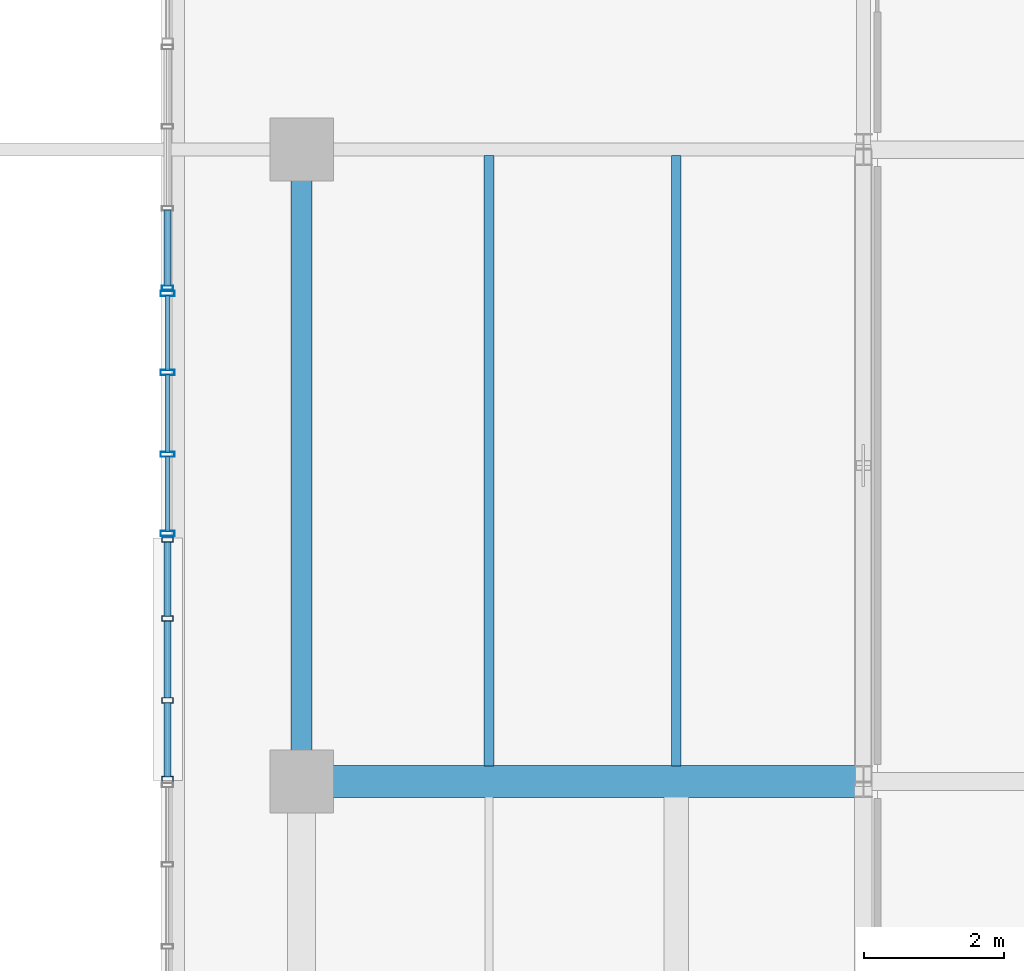
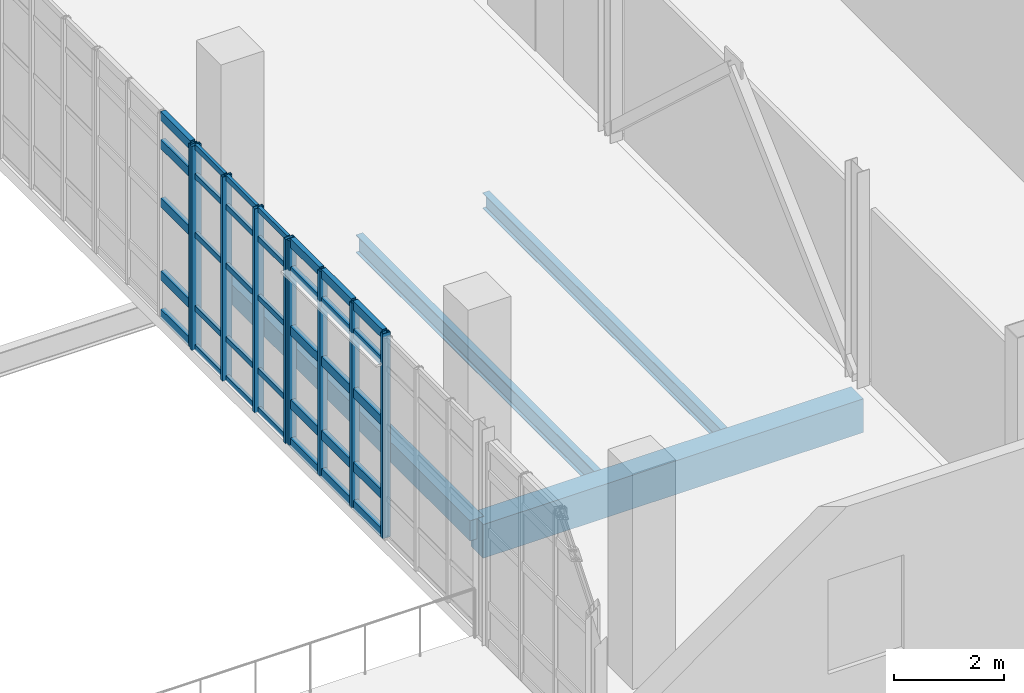
# One storey, part 29 of 100: 44 members, 4 beams, 3 elements without a shape of their own.
"""IFC4 building model written with IfcOpenShell, lengths in metres."""

from ifc_helpers import new_model, si_unit, derived_unit, direction, frame, origin, origin_2d, place, context, subcontext, project, spatial, rectangle, hollow_rectangle, i_section, extrude, material, layer, layer_set, material_profile, profile_set, type_object, element, aggregate, save


model = new_model("IFC4")

# Units and contexts
model_context = context("Model", 3, precision=1e-05, world=origin(), true_north=direction((0.0, 1.0)))
body_context = subcontext(model_context, "Body", "Model", "MODEL_VIEW")
ifc_project = project(units=[si_unit("LENGTHUNIT", "METRE"), si_unit("AREAUNIT", "SQUARE_METRE"), si_unit("VOLUMEUNIT", "CUBIC_METRE"), si_unit("PLANEANGLEUNIT", "RADIAN"), si_unit("MASSUNIT", "GRAM", prefix="KILO"), derived_unit("THERMALTRANSMITTANCEUNIT", [(si_unit("POWERUNIT", "WATT"), 1), (si_unit("LENGTHUNIT", "METRE"), -2), (si_unit("THERMODYNAMICTEMPERATUREUNIT", "KELVIN"), -1)])], contexts=[model_context])

# Site, building, storey
site_placement = place(None, origin())
site = spatial("IfcSite", under=ifc_project, at=site_placement, CompositionType="ELEMENT")
building_placement = place(site_placement, origin())
building = spatial("IfcBuilding", under=site, at=building_placement, Name="Nallur Shell Playhouse", CompositionType="ELEMENT")
storey_placement = place(building_placement, frame((0.0, 0.0, 10.199951171875)))
storey = spatial("IfcBuildingStorey", under=building, at=storey_placement, Name="L03", CompositionType="ELEMENT", Elevation=10.199951171875)

# Beams
ifc_material_1 = material(Name="Steel E250", Category="steel")
ifc_material_profile_1 = material_profile(ifc_material_1, i_section(OverallWidth=0.139892578125, OverallDepth=0.35009765625, WebThickness=0.008056640625, FlangeThickness=0.01416015625, FilletRadius=0.013916015625, at=origin_2d()), Name="ISMB 350")
ifc_profile_set_1 = profile_set([ifc_material_profile_1], Name="Steel E250")
beam_type_1 = type_object("IfcBeamType", Name="BM-JST-ISMB350", PredefinedType="JOIST", material=ifc_profile_set_1)
beam_1_placement = place(storey_placement, frame((61.333251953125, 56.222900390625, -0.43505859375), z_axis=(0.0, 1.0, 0.0), x_axis=(-1.0, 0.0, 0.0)))
element("IfcBeam", 1, at=beam_1_placement, inside=storey, type_object=beam_type_1, Name="L03 secondary joist 7-G-722", PredefinedType="JOIST", context=body_context, shape_type="SweptSolid", body=[
    extrude(i_section(OverallWidth=0.139892578125, OverallDepth=0.35009765625, WebThickness=0.008056640625, FlangeThickness=0.01416015625, FilletRadius=0.013916015625, at=origin_2d()), origin(), (0.0, 0.0, 1.0), 8.689208984375),
])
ifc_material_profile_2 = material_profile(ifc_material_1, i_section(OverallWidth=0.139892578125, OverallDepth=0.39990234375, WebThickness=0.0087890625, FlangeThickness=0.01611328125, FilletRadius=0.013916015625, at=origin_2d()), Name="ISMB 400")
ifc_profile_set_2 = profile_set([ifc_material_profile_2], Name="Steel E250")
beam_type_2 = type_object("IfcBeamType", Name="BM-JST-ISMB400", PredefinedType="JOIST", material=ifc_profile_set_2)
beam_2_placement = place(storey_placement, frame((58.666748046875, 56.222900390625, -0.4599609375), z_axis=(0.0, 1.0, 0.0), x_axis=(-1.0, 0.0, 0.0)))
element("IfcBeam", 2, at=beam_2_placement, inside=storey, type_object=beam_type_2, Name="L03 secondary joist 7-G-721", PredefinedType="JOIST", context=body_context, shape_type="SweptSolid", body=[
    extrude(i_section(OverallWidth=0.139892578125, OverallDepth=0.39990234375, WebThickness=0.0087890625, FlangeThickness=0.01611328125, FilletRadius=0.013916015625, at=origin_2d()), origin(), (0.0, 0.0, 1.0), 8.689208984375),
])
ifc_material_2 = material(Name="Concrete M35", Category="concrete")
ifc_material_profile_3 = material_profile(ifc_material_2, rectangle(XDim=0.449951171875, YDim=0.75, at=origin_2d()), Name="RC 450x750")
ifc_profile_set_3 = profile_set([ifc_material_profile_3], Name="Concrete M35")
beam_type_3 = type_object("IfcBeamType", Name="BM-RC-450x750", PredefinedType="BEAM", material=ifc_profile_set_3)
beam_3_placement = place(storey_placement, frame((56.0, 56.0, -0.635009765625), z_axis=(1.0, 0.0, 0.0), x_axis=(0.0, 1.0, 0.0)))
element("IfcBeam", 3, at=beam_3_placement, inside=storey, type_object=beam_type_3, Name="L03 girder X-G-606", PredefinedType="BEAM", context=body_context, shape_type="SweptSolid", body=[
    extrude(rectangle(XDim=0.449951171875, YDim=0.75, at=origin_2d()), origin(), (0.0, 0.0, 1.0), 8.0),
])
ifc_material_profile_4 = material_profile(ifc_material_2, rectangle(XDim=0.300048828125, YDim=0.449951171875, at=origin_2d()), Name="RC 300x450")
ifc_profile_set_4 = profile_set([ifc_material_profile_4], Name="Concrete M35")
beam_type_4 = type_object("IfcBeamType", Name="BM-SPN-300x450", PredefinedType="SPANDREL", material=ifc_profile_set_4)
beam_4_placement = place(storey_placement, frame((56.0, 56.0, -0.48486328125), z_axis=(0.0, 1.0, 0.0), x_axis=(-1.0, 0.0, 0.0)))
element("IfcBeam", 4, at=beam_4_placement, inside=storey, type_object=beam_type_4, Name="L03 girder Y-7-656", PredefinedType="SPANDREL", context=body_context, shape_type="SweptSolid", body=[
    extrude(rectangle(XDim=0.300048828125, YDim=0.449951171875, at=origin_2d()), origin(), (0.0, 0.0, 1.0), 9.0),
])

# Curtain wall, members
ifc_material_3 = material(Name="Anodised Aluminium Double-Glazed Facade System", Category="aluminium")
ifc_layer_1 = layer(ifc_material_3, 0.176025390625)
ifc_layer_set_1 = layer_set([ifc_layer_1], Name="Anodised Aluminium Double-Glazed Facade System")
curtain_wall_type_1 = type_object("IfcCurtainWallType", Name="CW-UNIT-04", PredefinedType="NOTDEFINED", material=ifc_layer_set_1)
curtain_wall_1_placement = place(storey_placement, origin())
curtain_wall_1 = element("IfcCurtainWall", 5, at=curtain_wall_1_placement, inside=storey, type_object=curtain_wall_type_1, Name="Unitised curtain wall CW-068 (L03)", PredefinedType="NOTDEFINED")
ifc_material_4 = material(Name="Aluminium Alloy 6063-T6 Mullion", Category="aluminium")
ifc_material_profile_5 = material_profile(ifc_material_4, hollow_rectangle(XDim=0.080078125, YDim=0.159912109375, WallThickness=0.006103515625, at=origin_2d()), Name="RHS 160x80x6")
ifc_profile_set_5 = profile_set([ifc_material_profile_5], Name="Aluminium Alloy 6063-T6 Mullion")
member_type_1 = type_object("IfcMemberType", Name="MB-CW-MUL150", PredefinedType="MULLION", material=ifc_profile_set_5)
member_1_placement = place(storey_placement, frame((54.090087890625, 56.031494140625, -0.014892578125), z_axis=(0.0, 0.0, 1.0), x_axis=(0.0, 1.0, 0.0)))
member_1 = element("IfcMember", 6, at=member_1_placement, type_object=member_type_1, Name="CW-04 mullion 1", PredefinedType="MULLION", context=body_context, shape_type="SweptSolid", body=[
    extrude(hollow_rectangle(XDim=0.080078125, YDim=0.159912109375, WallThickness=0.006103515625, at=origin_2d()), origin(), (0.0, 0.0, 1.0), 4.558837890625),
])
member_2_placement = place(storey_placement, frame((54.090087890625, 57.15576171875, -0.014892578125), z_axis=(0.0, 0.0, 1.0), x_axis=(0.0, 1.0, 0.0)))
member_2 = element("IfcMember", 7, at=member_2_placement, type_object=member_type_1, Name="CW-04 mullion 2", PredefinedType="MULLION", context=body_context, shape_type="SweptSolid", body=[
    extrude(hollow_rectangle(XDim=0.080078125, YDim=0.159912109375, WallThickness=0.006103515625, at=origin_2d()), origin(), (0.0, 0.0, 1.0), 4.558837890625),
])
member_3_placement = place(storey_placement, frame((54.090087890625, 58.3203125, -0.014892578125), z_axis=(0.0, 0.0, 1.0), x_axis=(0.0, 1.0, 0.0)))
member_3 = element("IfcMember", 8, at=member_3_placement, type_object=member_type_1, Name="CW-04 mullion 3", PredefinedType="MULLION", context=body_context, shape_type="SweptSolid", body=[
    extrude(hollow_rectangle(XDim=0.080078125, YDim=0.159912109375, WallThickness=0.006103515625, at=origin_2d()), origin(), (0.0, 0.0, 1.0), 4.558837890625),
])
member_4_placement = place(storey_placement, frame((54.090087890625, 59.44482421875, -0.014892578125), z_axis=(0.0, 0.0, 1.0), x_axis=(0.0, 1.0, 0.0)))
member_4 = element("IfcMember", 9, at=member_4_placement, type_object=member_type_1, Name="CW-04 mullion 4", PredefinedType="MULLION", context=body_context, shape_type="SweptSolid", body=[
    extrude(hollow_rectangle(XDim=0.080078125, YDim=0.159912109375, WallThickness=0.006103515625, at=origin_2d()), origin(), (0.0, 0.0, 1.0), 4.558837890625),
])

# Curtain wall, member
ifc_layer_2 = layer(ifc_material_3, 0.159912109375)
ifc_layer_set_2 = layer_set([ifc_layer_2], Name="Anodised Aluminium Double-Glazed Facade System")
curtain_wall_type_2 = type_object("IfcCurtainWallType", Name="CW-UNIT-06", PredefinedType="NOTDEFINED", material=ifc_layer_set_2)
curtain_wall_2_placement = place(storey_placement, origin())
curtain_wall_2 = element("IfcCurtainWall", 10, at=curtain_wall_2_placement, inside=storey, type_object=curtain_wall_type_2, Name="Unitised curtain wall CW-070 (L03)", PredefinedType="NOTDEFINED")
ifc_material_profile_6 = material_profile(ifc_material_4, hollow_rectangle(XDim=0.06494140625, YDim=0.159912109375, WallThickness=0.00390625, at=origin_2d()), Name="ALU 65x160x4")
ifc_profile_set_6 = profile_set([ifc_material_profile_6], Name="Aluminium Alloy 6063-T6 Mullion")
member_type_2 = type_object("IfcMemberType", Name="MB-CW-MUL160", PredefinedType="MULLION", material=ifc_profile_set_6)
member_5_placement = place(storey_placement, frame((54.090087890625, 63.03076171875, -0.014892578125), z_axis=(0.0, 0.0, 1.0), x_axis=(0.0, 1.0, 0.0)))
member_5 = element("IfcMember", 11, at=member_5_placement, type_object=member_type_2, Name="CW-06 mullion 1", PredefinedType="MULLION", context=body_context, shape_type="SweptSolid", body=[
    extrude(hollow_rectangle(XDim=0.06494140625, YDim=0.159912109375, WallThickness=0.00390625, at=origin_2d()), origin(), (0.0, 0.0, 1.0), 4.51904296875),
])

# Curtain wall, members
ifc_layer_3 = layer(ifc_material_3, 0.179931640625)
ifc_layer_set_3 = layer_set([ifc_layer_3], Name="Anodised Aluminium Double-Glazed Facade System")
curtain_wall_type_3 = type_object("IfcCurtainWallType", Name="CW-UNIT-05", PredefinedType="NOTDEFINED", material=ifc_layer_set_3)
curtain_wall_3_placement = place(storey_placement, origin())
curtain_wall_3 = element("IfcCurtainWall", 12, at=curtain_wall_3_placement, inside=storey, type_object=curtain_wall_type_3, Name="Unitised curtain wall CW-069 (L03)", PredefinedType="NOTDEFINED")
ifc_material_profile_7 = material_profile(ifc_material_4, hollow_rectangle(XDim=0.074951171875, YDim=0.199951171875, WallThickness=0.0048828125, at=origin_2d()), Name="ALU 75x200x5")
ifc_profile_set_7 = profile_set([ifc_material_profile_7], Name="Aluminium Alloy 6063-T6 Mullion")
member_type_3 = type_object("IfcMemberType", Name="MB-CW-MUL180", PredefinedType="MULLION", material=ifc_profile_set_7)
member_6_placement = place(storey_placement, frame((54.090087890625, 59.5322265625, -0.014892578125), z_axis=(0.0, 0.0, 1.0), x_axis=(0.0, 1.0, 0.0)))
member_6 = element("IfcMember", 13, at=member_6_placement, type_object=member_type_3, Name="CW-05 mullion 1", PredefinedType="MULLION", context=body_context, shape_type="SweptSolid", body=[
    extrude(hollow_rectangle(XDim=0.074951171875, YDim=0.199951171875, WallThickness=0.0048828125, at=origin_2d()), origin(), (0.0, 0.0, 1.0), 4.5390625),
])
member_7_placement = place(storey_placement, frame((54.090087890625, 60.6591796875, -0.014892578125), z_axis=(0.0, 0.0, 1.0), x_axis=(0.0, 1.0, 0.0)))
member_7 = element("IfcMember", 14, at=member_7_placement, type_object=member_type_3, Name="CW-05 mullion 2", PredefinedType="MULLION", context=body_context, shape_type="SweptSolid", body=[
    extrude(hollow_rectangle(XDim=0.074951171875, YDim=0.199951171875, WallThickness=0.0048828125, at=origin_2d()), origin(), (0.0, 0.0, 1.0), 4.5390625),
])
member_8_placement = place(storey_placement, frame((54.090087890625, 61.82373046875, -0.014892578125), z_axis=(0.0, 0.0, 1.0), x_axis=(0.0, 1.0, 0.0)))
member_8 = element("IfcMember", 15, at=member_8_placement, type_object=member_type_3, Name="CW-05 mullion 3", PredefinedType="MULLION", context=body_context, shape_type="SweptSolid", body=[
    extrude(hollow_rectangle(XDim=0.074951171875, YDim=0.199951171875, WallThickness=0.0048828125, at=origin_2d()), origin(), (0.0, 0.0, 1.0), 4.5390625),
])
member_9_placement = place(storey_placement, frame((54.090087890625, 62.95068359375, -0.014892578125), z_axis=(0.0, 0.0, 1.0), x_axis=(0.0, 1.0, 0.0)))
member_9 = element("IfcMember", 16, at=member_9_placement, type_object=member_type_3, Name="CW-05 mullion 4", PredefinedType="MULLION", context=body_context, shape_type="SweptSolid", body=[
    extrude(hollow_rectangle(XDim=0.074951171875, YDim=0.199951171875, WallThickness=0.0048828125, at=origin_2d()), origin(), (0.0, 0.0, 1.0), 4.5390625),
])
ifc_material_5 = material(Name="Aluminium Alloy 6063-T6 Transom", Category="aluminium")
ifc_material_profile_8 = material_profile(ifc_material_5, hollow_rectangle(XDim=0.06494140625, YDim=0.1201171875, WallThickness=0.00390625, at=origin_2d()), Name="ALU 65x120x4")
ifc_profile_set_8 = profile_set([ifc_material_profile_8], Name="Aluminium Alloy 6063-T6 Transom")
member_type_4 = type_object("IfcMemberType", Name="MB-CW-TRN120", PredefinedType="USERDEFINED", material=ifc_profile_set_8)
member_10_placement = place(storey_placement, frame((54.090087890625, 59.561767578125, 0.032470703125), z_axis=(0.0, 1.0, 0.0), x_axis=(-1.0, 0.0, 0.0)))
member_10 = element("IfcMember", 17, at=member_10_placement, type_object=member_type_4, Name="CW-05 transom 1.1", ObjectType="TRANSOM", PredefinedType="USERDEFINED", context=body_context, shape_type="SweptSolid", body=[
    extrude(hollow_rectangle(XDim=0.06494140625, YDim=0.1201171875, WallThickness=0.00390625, at=origin_2d()), origin(), (0.0, 0.0, 1.0), 1.068115234375),
])
member_11_placement = place(storey_placement, frame((54.090087890625, 59.561767578125, 0.900146484375), z_axis=(0.0, 1.0, 0.0), x_axis=(-1.0, 0.0, 0.0)))
member_11 = element("IfcMember", 18, at=member_11_placement, type_object=member_type_4, Name="CW-05 transom 1.2", ObjectType="TRANSOM", PredefinedType="USERDEFINED", context=body_context, shape_type="SweptSolid", body=[
    extrude(hollow_rectangle(XDim=0.06494140625, YDim=0.1201171875, WallThickness=0.00390625, at=origin_2d()), origin(), (0.0, 0.0, 1.0), 1.068115234375),
])
member_12_placement = place(storey_placement, frame((54.090087890625, 59.561767578125, 2.531005859375), z_axis=(0.0, 1.0, 0.0), x_axis=(-1.0, 0.0, 0.0)))
member_12 = element("IfcMember", 19, at=member_12_placement, type_object=member_type_4, Name="CW-05 transom 1.3", ObjectType="TRANSOM", PredefinedType="USERDEFINED", context=body_context, shape_type="SweptSolid", body=[
    extrude(hollow_rectangle(XDim=0.06494140625, YDim=0.1201171875, WallThickness=0.00390625, at=origin_2d()), origin(), (0.0, 0.0, 1.0), 1.068115234375),
])
member_13_placement = place(storey_placement, frame((54.090087890625, 59.561767578125, 3.840087890625), z_axis=(0.0, 1.0, 0.0), x_axis=(-1.0, 0.0, 0.0)))
member_13 = element("IfcMember", 20, at=member_13_placement, type_object=member_type_4, Name="CW-05 transom 1.4", ObjectType="TRANSOM", PredefinedType="USERDEFINED", context=body_context, shape_type="SweptSolid", body=[
    extrude(hollow_rectangle(XDim=0.06494140625, YDim=0.1201171875, WallThickness=0.00390625, at=origin_2d()), origin(), (0.0, 0.0, 1.0), 1.068115234375),
])
member_14_placement = place(storey_placement, frame((54.090087890625, 59.561767578125, 4.487548828125), z_axis=(0.0, 1.0, 0.0), x_axis=(-1.0, 0.0, 0.0)))
member_14 = element("IfcMember", 21, at=member_14_placement, type_object=member_type_4, Name="CW-05 transom 1.5", ObjectType="TRANSOM", PredefinedType="USERDEFINED", context=body_context, shape_type="SweptSolid", body=[
    extrude(hollow_rectangle(XDim=0.06494140625, YDim=0.1201171875, WallThickness=0.00390625, at=origin_2d()), origin(), (0.0, 0.0, 1.0), 1.068115234375),
])
member_15_placement = place(storey_placement, frame((54.090087890625, 60.688720703125, 0.032470703125), z_axis=(0.0, 1.0, 0.0), x_axis=(-1.0, 0.0, 0.0)))
member_15 = element("IfcMember", 22, at=member_15_placement, type_object=member_type_4, Name="CW-05 transom 2.1", ObjectType="TRANSOM", PredefinedType="USERDEFINED", context=body_context, shape_type="SweptSolid", body=[
    extrude(hollow_rectangle(XDim=0.06494140625, YDim=0.1201171875, WallThickness=0.00390625, at=origin_2d()), origin(), (0.0, 0.0, 1.0), 1.10546875),
])
member_16_placement = place(storey_placement, frame((54.090087890625, 60.688720703125, 0.900146484375), z_axis=(0.0, 1.0, 0.0), x_axis=(-1.0, 0.0, 0.0)))
member_16 = element("IfcMember", 23, at=member_16_placement, type_object=member_type_4, Name="CW-05 transom 2.2", ObjectType="TRANSOM", PredefinedType="USERDEFINED", context=body_context, shape_type="SweptSolid", body=[
    extrude(hollow_rectangle(XDim=0.06494140625, YDim=0.1201171875, WallThickness=0.00390625, at=origin_2d()), origin(), (0.0, 0.0, 1.0), 1.10546875),
])
member_17_placement = place(storey_placement, frame((54.090087890625, 60.688720703125, 2.531005859375), z_axis=(0.0, 1.0, 0.0), x_axis=(-1.0, 0.0, 0.0)))
member_17 = element("IfcMember", 24, at=member_17_placement, type_object=member_type_4, Name="CW-05 transom 2.3", ObjectType="TRANSOM", PredefinedType="USERDEFINED", context=body_context, shape_type="SweptSolid", body=[
    extrude(hollow_rectangle(XDim=0.06494140625, YDim=0.1201171875, WallThickness=0.00390625, at=origin_2d()), origin(), (0.0, 0.0, 1.0), 1.10546875),
])
member_18_placement = place(storey_placement, frame((54.090087890625, 60.688720703125, 3.840087890625), z_axis=(0.0, 1.0, 0.0), x_axis=(-1.0, 0.0, 0.0)))
member_18 = element("IfcMember", 25, at=member_18_placement, type_object=member_type_4, Name="CW-05 transom 2.4", ObjectType="TRANSOM", PredefinedType="USERDEFINED", context=body_context, shape_type="SweptSolid", body=[
    extrude(hollow_rectangle(XDim=0.06494140625, YDim=0.1201171875, WallThickness=0.00390625, at=origin_2d()), origin(), (0.0, 0.0, 1.0), 1.10546875),
])
member_19_placement = place(storey_placement, frame((54.090087890625, 60.688720703125, 4.487548828125), z_axis=(0.0, 1.0, 0.0), x_axis=(-1.0, 0.0, 0.0)))
member_19 = element("IfcMember", 26, at=member_19_placement, type_object=member_type_4, Name="CW-05 transom 2.5", ObjectType="TRANSOM", PredefinedType="USERDEFINED", context=body_context, shape_type="SweptSolid", body=[
    extrude(hollow_rectangle(XDim=0.06494140625, YDim=0.1201171875, WallThickness=0.00390625, at=origin_2d()), origin(), (0.0, 0.0, 1.0), 1.10546875),
])
member_20_placement = place(storey_placement, frame((54.090087890625, 61.853271484375, 0.032470703125), z_axis=(0.0, 1.0, 0.0), x_axis=(-1.0, 0.0, 0.0)))
member_20 = element("IfcMember", 27, at=member_20_placement, type_object=member_type_4, Name="CW-05 transom 3.1", ObjectType="TRANSOM", PredefinedType="USERDEFINED", context=body_context, shape_type="SweptSolid", body=[
    extrude(hollow_rectangle(XDim=0.06494140625, YDim=0.1201171875, WallThickness=0.00390625, at=origin_2d()), origin(), (0.0, 0.0, 1.0), 1.06787109375),
])
member_21_placement = place(storey_placement, frame((54.090087890625, 61.853271484375, 0.900146484375), z_axis=(0.0, 1.0, 0.0), x_axis=(-1.0, 0.0, 0.0)))
member_21 = element("IfcMember", 28, at=member_21_placement, type_object=member_type_4, Name="CW-05 transom 3.2", ObjectType="TRANSOM", PredefinedType="USERDEFINED", context=body_context, shape_type="SweptSolid", body=[
    extrude(hollow_rectangle(XDim=0.06494140625, YDim=0.1201171875, WallThickness=0.00390625, at=origin_2d()), origin(), (0.0, 0.0, 1.0), 1.06787109375),
])
member_22_placement = place(storey_placement, frame((54.090087890625, 61.853271484375, 2.531005859375), z_axis=(0.0, 1.0, 0.0), x_axis=(-1.0, 0.0, 0.0)))
member_22 = element("IfcMember", 29, at=member_22_placement, type_object=member_type_4, Name="CW-05 transom 3.3", ObjectType="TRANSOM", PredefinedType="USERDEFINED", context=body_context, shape_type="SweptSolid", body=[
    extrude(hollow_rectangle(XDim=0.06494140625, YDim=0.1201171875, WallThickness=0.00390625, at=origin_2d()), origin(), (0.0, 0.0, 1.0), 1.06787109375),
])
member_23_placement = place(storey_placement, frame((54.090087890625, 61.853271484375, 3.840087890625), z_axis=(0.0, 1.0, 0.0), x_axis=(-1.0, 0.0, 0.0)))
member_23 = element("IfcMember", 30, at=member_23_placement, type_object=member_type_4, Name="CW-05 transom 3.4", ObjectType="TRANSOM", PredefinedType="USERDEFINED", context=body_context, shape_type="SweptSolid", body=[
    extrude(hollow_rectangle(XDim=0.06494140625, YDim=0.1201171875, WallThickness=0.00390625, at=origin_2d()), origin(), (0.0, 0.0, 1.0), 1.06787109375),
])
member_24_placement = place(storey_placement, frame((54.090087890625, 61.853271484375, 4.487548828125), z_axis=(0.0, 1.0, 0.0), x_axis=(-1.0, 0.0, 0.0)))
member_24 = element("IfcMember", 31, at=member_24_placement, type_object=member_type_4, Name="CW-05 transom 3.5", ObjectType="TRANSOM", PredefinedType="USERDEFINED", context=body_context, shape_type="SweptSolid", body=[
    extrude(hollow_rectangle(XDim=0.06494140625, YDim=0.1201171875, WallThickness=0.00390625, at=origin_2d()), origin(), (0.0, 0.0, 1.0), 1.06787109375),
])
aggregate(curtain_wall_3, [member_6, member_7, member_8, member_9, member_10, member_11, member_12, member_13, member_14, member_15, member_16, member_17, member_18, member_19, member_20, member_21, member_22, member_23, member_24])

# Member
ifc_material_profile_9 = material_profile(ifc_material_5, hollow_rectangle(XDim=0.10009765625, YDim=0.199951171875, WallThickness=0.008056640625, at=origin_2d()), Name="RHS 200x100x8")
ifc_profile_set_9 = profile_set([ifc_material_profile_9], Name="Aluminium Alloy 6063-T6 Transom")
member_type_5 = type_object("IfcMemberType", Name="MB-CW-TRN140", PredefinedType="USERDEFINED", material=ifc_profile_set_9)
member_25_placement = place(storey_placement, frame((54.090087890625, 56.0634765625, 0.050048828125), z_axis=(0.0, 1.0, 0.0), x_axis=(-1.0, 0.0, 0.0)))
member_25 = element("IfcMember", 32, at=member_25_placement, type_object=member_type_5, Name="CW-04 transom 1.1", ObjectType="TRANSOM", PredefinedType="USERDEFINED", context=body_context, shape_type="SweptSolid", body=[
    extrude(hollow_rectangle(XDim=0.10009765625, YDim=0.199951171875, WallThickness=0.008056640625, at=origin_2d()), origin(), (0.0, 0.0, 1.0), 1.060302734375),
])

member_26_placement = place(storey_placement, frame((54.090087890625, 56.0634765625, 0.900146484375), z_axis=(0.0, 1.0, 0.0), x_axis=(-1.0, 0.0, 0.0)))
member_26 = element("IfcMember", 33, at=member_26_placement, type_object=member_type_5, Name="CW-04 transom 1.2", ObjectType="TRANSOM", PredefinedType="USERDEFINED", context=body_context, shape_type="SweptSolid", body=[
    extrude(hollow_rectangle(XDim=0.10009765625, YDim=0.199951171875, WallThickness=0.008056640625, at=origin_2d()), origin(), (0.0, 0.0, 1.0), 1.060302734375),
])

member_27_placement = place(storey_placement, frame((54.090087890625, 56.0634765625, 2.5419921875), z_axis=(0.0, 1.0, 0.0), x_axis=(-1.0, 0.0, 0.0)))
member_27 = element("IfcMember", 34, at=member_27_placement, type_object=member_type_5, Name="CW-04 transom 1.3", ObjectType="TRANSOM", PredefinedType="USERDEFINED", context=body_context, shape_type="SweptSolid", body=[
    extrude(hollow_rectangle(XDim=0.10009765625, YDim=0.199951171875, WallThickness=0.008056640625, at=origin_2d()), origin(), (0.0, 0.0, 1.0), 1.060302734375),
])

member_28_placement = place(storey_placement, frame((54.090087890625, 56.0634765625, 3.860107421875), z_axis=(0.0, 1.0, 0.0), x_axis=(-1.0, 0.0, 0.0)))
member_28 = element("IfcMember", 35, at=member_28_placement, type_object=member_type_5, Name="CW-04 transom 1.4", ObjectType="TRANSOM", PredefinedType="USERDEFINED", context=body_context, shape_type="SweptSolid", body=[
    extrude(hollow_rectangle(XDim=0.10009765625, YDim=0.199951171875, WallThickness=0.008056640625, at=origin_2d()), origin(), (0.0, 0.0, 1.0), 1.060302734375),
])

member_29_placement = place(storey_placement, frame((54.090087890625, 56.0634765625, 4.489990234375), z_axis=(0.0, 1.0, 0.0), x_axis=(-1.0, 0.0, 0.0)))
member_29 = element("IfcMember", 36, at=member_29_placement, type_object=member_type_5, Name="CW-04 transom 1.5", ObjectType="TRANSOM", PredefinedType="USERDEFINED", context=body_context, shape_type="SweptSolid", body=[
    extrude(hollow_rectangle(XDim=0.10009765625, YDim=0.199951171875, WallThickness=0.008056640625, at=origin_2d()), origin(), (0.0, 0.0, 1.0), 1.060302734375),
])

member_30_placement = place(storey_placement, frame((54.090087890625, 57.18798828125, 0.050048828125), z_axis=(0.0, 1.0, 0.0), x_axis=(-1.0, 0.0, 0.0)))
member_30 = element("IfcMember", 37, at=member_30_placement, type_object=member_type_5, Name="CW-04 transom 2.1", ObjectType="TRANSOM", PredefinedType="USERDEFINED", context=body_context, shape_type="SweptSolid", body=[
    extrude(hollow_rectangle(XDim=0.10009765625, YDim=0.199951171875, WallThickness=0.008056640625, at=origin_2d()), origin(), (0.0, 0.0, 1.0), 1.100341796875),
])

member_31_placement = place(storey_placement, frame((54.090087890625, 57.18798828125, 0.900146484375), z_axis=(0.0, 1.0, 0.0), x_axis=(-1.0, 0.0, 0.0)))
member_31 = element("IfcMember", 38, at=member_31_placement, type_object=member_type_5, Name="CW-04 transom 2.2", ObjectType="TRANSOM", PredefinedType="USERDEFINED", context=body_context, shape_type="SweptSolid", body=[
    extrude(hollow_rectangle(XDim=0.10009765625, YDim=0.199951171875, WallThickness=0.008056640625, at=origin_2d()), origin(), (0.0, 0.0, 1.0), 1.100341796875),
])

member_32_placement = place(storey_placement, frame((54.090087890625, 57.18798828125, 2.5419921875), z_axis=(0.0, 1.0, 0.0), x_axis=(-1.0, 0.0, 0.0)))
member_32 = element("IfcMember", 39, at=member_32_placement, type_object=member_type_5, Name="CW-04 transom 2.3", ObjectType="TRANSOM", PredefinedType="USERDEFINED", context=body_context, shape_type="SweptSolid", body=[
    extrude(hollow_rectangle(XDim=0.10009765625, YDim=0.199951171875, WallThickness=0.008056640625, at=origin_2d()), origin(), (0.0, 0.0, 1.0), 1.100341796875),
])

member_33_placement = place(storey_placement, frame((54.090087890625, 57.18798828125, 3.860107421875), z_axis=(0.0, 1.0, 0.0), x_axis=(-1.0, 0.0, 0.0)))
member_33 = element("IfcMember", 40, at=member_33_placement, type_object=member_type_5, Name="CW-04 transom 2.4", ObjectType="TRANSOM", PredefinedType="USERDEFINED", context=body_context, shape_type="SweptSolid", body=[
    extrude(hollow_rectangle(XDim=0.10009765625, YDim=0.199951171875, WallThickness=0.008056640625, at=origin_2d()), origin(), (0.0, 0.0, 1.0), 1.100341796875),
])

member_34_placement = place(storey_placement, frame((54.090087890625, 57.18798828125, 4.489990234375), z_axis=(0.0, 1.0, 0.0), x_axis=(-1.0, 0.0, 0.0)))
member_34 = element("IfcMember", 41, at=member_34_placement, type_object=member_type_5, Name="CW-04 transom 2.5", ObjectType="TRANSOM", PredefinedType="USERDEFINED", context=body_context, shape_type="SweptSolid", body=[
    extrude(hollow_rectangle(XDim=0.10009765625, YDim=0.199951171875, WallThickness=0.008056640625, at=origin_2d()), origin(), (0.0, 0.0, 1.0), 1.100341796875),
])

member_35_placement = place(storey_placement, frame((54.090087890625, 58.352294921875, 0.050048828125), z_axis=(0.0, 1.0, 0.0), x_axis=(-1.0, 0.0, 0.0)))
member_35 = element("IfcMember", 42, at=member_35_placement, type_object=member_type_5, Name="CW-04 transom 3.1", ObjectType="TRANSOM", PredefinedType="USERDEFINED", context=body_context, shape_type="SweptSolid", body=[
    extrude(hollow_rectangle(XDim=0.10009765625, YDim=0.199951171875, WallThickness=0.008056640625, at=origin_2d()), origin(), (0.0, 0.0, 1.0), 1.060546875),
])

member_36_placement = place(storey_placement, frame((54.090087890625, 58.352294921875, 0.900146484375), z_axis=(0.0, 1.0, 0.0), x_axis=(-1.0, 0.0, 0.0)))
member_36 = element("IfcMember", 43, at=member_36_placement, type_object=member_type_5, Name="CW-04 transom 3.2", ObjectType="TRANSOM", PredefinedType="USERDEFINED", context=body_context, shape_type="SweptSolid", body=[
    extrude(hollow_rectangle(XDim=0.10009765625, YDim=0.199951171875, WallThickness=0.008056640625, at=origin_2d()), origin(), (0.0, 0.0, 1.0), 1.060546875),
])

member_37_placement = place(storey_placement, frame((54.090087890625, 58.352294921875, 2.5419921875), z_axis=(0.0, 1.0, 0.0), x_axis=(-1.0, 0.0, 0.0)))
member_37 = element("IfcMember", 44, at=member_37_placement, type_object=member_type_5, Name="CW-04 transom 3.3", ObjectType="TRANSOM", PredefinedType="USERDEFINED", context=body_context, shape_type="SweptSolid", body=[
    extrude(hollow_rectangle(XDim=0.10009765625, YDim=0.199951171875, WallThickness=0.008056640625, at=origin_2d()), origin(), (0.0, 0.0, 1.0), 1.060546875),
])

member_38_placement = place(storey_placement, frame((54.090087890625, 58.352294921875, 3.860107421875), z_axis=(0.0, 1.0, 0.0), x_axis=(-1.0, 0.0, 0.0)))
member_38 = element("IfcMember", 45, at=member_38_placement, type_object=member_type_5, Name="CW-04 transom 3.4", ObjectType="TRANSOM", PredefinedType="USERDEFINED", context=body_context, shape_type="SweptSolid", body=[
    extrude(hollow_rectangle(XDim=0.10009765625, YDim=0.199951171875, WallThickness=0.008056640625, at=origin_2d()), origin(), (0.0, 0.0, 1.0), 1.060546875),
])

member_39_placement = place(storey_placement, frame((54.090087890625, 58.352294921875, 4.489990234375), z_axis=(0.0, 1.0, 0.0), x_axis=(-1.0, 0.0, 0.0)))
member_39 = element("IfcMember", 46, at=member_39_placement, type_object=member_type_5, Name="CW-04 transom 3.5", ObjectType="TRANSOM", PredefinedType="USERDEFINED", context=body_context, shape_type="SweptSolid", body=[
    extrude(hollow_rectangle(XDim=0.10009765625, YDim=0.199951171875, WallThickness=0.008056640625, at=origin_2d()), origin(), (0.0, 0.0, 1.0), 1.060546875),
])

aggregate(curtain_wall_1, [member_1, member_2, member_3, member_4, member_25, member_26, member_27, member_28, member_29, member_30, member_31, member_32, member_33, member_34, member_35, member_36, member_37, member_38, member_39])

member_40_placement = place(storey_placement, frame((54.090087890625, 63.05517578125, 0.050048828125), z_axis=(0.0, 1.0, 0.0), x_axis=(-1.0, 0.0, 0.0)))
member_40 = element("IfcMember", 47, at=member_40_placement, type_object=member_type_5, Name="CW-06 transom 1.1", ObjectType="TRANSOM", PredefinedType="USERDEFINED", context=body_context, shape_type="SweptSolid", body=[
    extrude(hollow_rectangle(XDim=0.10009765625, YDim=0.199951171875, WallThickness=0.008056640625, at=origin_2d()), origin(), (0.0, 0.0, 1.0), 1.0830078125),
])

member_41_placement = place(storey_placement, frame((54.090087890625, 63.05517578125, 0.900146484375), z_axis=(0.0, 1.0, 0.0), x_axis=(-1.0, 0.0, 0.0)))
member_41 = element("IfcMember", 48, at=member_41_placement, type_object=member_type_5, Name="CW-06 transom 1.2", ObjectType="TRANSOM", PredefinedType="USERDEFINED", context=body_context, shape_type="SweptSolid", body=[
    extrude(hollow_rectangle(XDim=0.10009765625, YDim=0.199951171875, WallThickness=0.008056640625, at=origin_2d()), origin(), (0.0, 0.0, 1.0), 1.0830078125),
])

member_42_placement = place(storey_placement, frame((54.090087890625, 63.05517578125, 2.52001953125), z_axis=(0.0, 1.0, 0.0), x_axis=(-1.0, 0.0, 0.0)))
member_42 = element("IfcMember", 49, at=member_42_placement, type_object=member_type_5, Name="CW-06 transom 1.3", ObjectType="TRANSOM", PredefinedType="USERDEFINED", context=body_context, shape_type="SweptSolid", body=[
    extrude(hollow_rectangle(XDim=0.10009765625, YDim=0.199951171875, WallThickness=0.008056640625, at=origin_2d()), origin(), (0.0, 0.0, 1.0), 1.0830078125),
])

member_43_placement = place(storey_placement, frame((54.090087890625, 63.05517578125, 3.820068359375), z_axis=(0.0, 1.0, 0.0), x_axis=(-1.0, 0.0, 0.0)))
member_43 = element("IfcMember", 50, at=member_43_placement, type_object=member_type_5, Name="CW-06 transom 1.4", ObjectType="TRANSOM", PredefinedType="USERDEFINED", context=body_context, shape_type="SweptSolid", body=[
    extrude(hollow_rectangle(XDim=0.10009765625, YDim=0.199951171875, WallThickness=0.008056640625, at=origin_2d()), origin(), (0.0, 0.0, 1.0), 1.0830078125),
])

member_44_placement = place(storey_placement, frame((54.090087890625, 63.05517578125, 4.449951171875), z_axis=(0.0, 1.0, 0.0), x_axis=(-1.0, 0.0, 0.0)))
member_44 = element("IfcMember", 51, at=member_44_placement, type_object=member_type_5, Name="CW-06 transom 1.5", ObjectType="TRANSOM", PredefinedType="USERDEFINED", context=body_context, shape_type="SweptSolid", body=[
    extrude(hollow_rectangle(XDim=0.10009765625, YDim=0.199951171875, WallThickness=0.008056640625, at=origin_2d()), origin(), (0.0, 0.0, 1.0), 1.0830078125),
])

aggregate(curtain_wall_2, [member_5, member_40, member_41, member_42, member_43, member_44])

save(model, "model.ifc")
